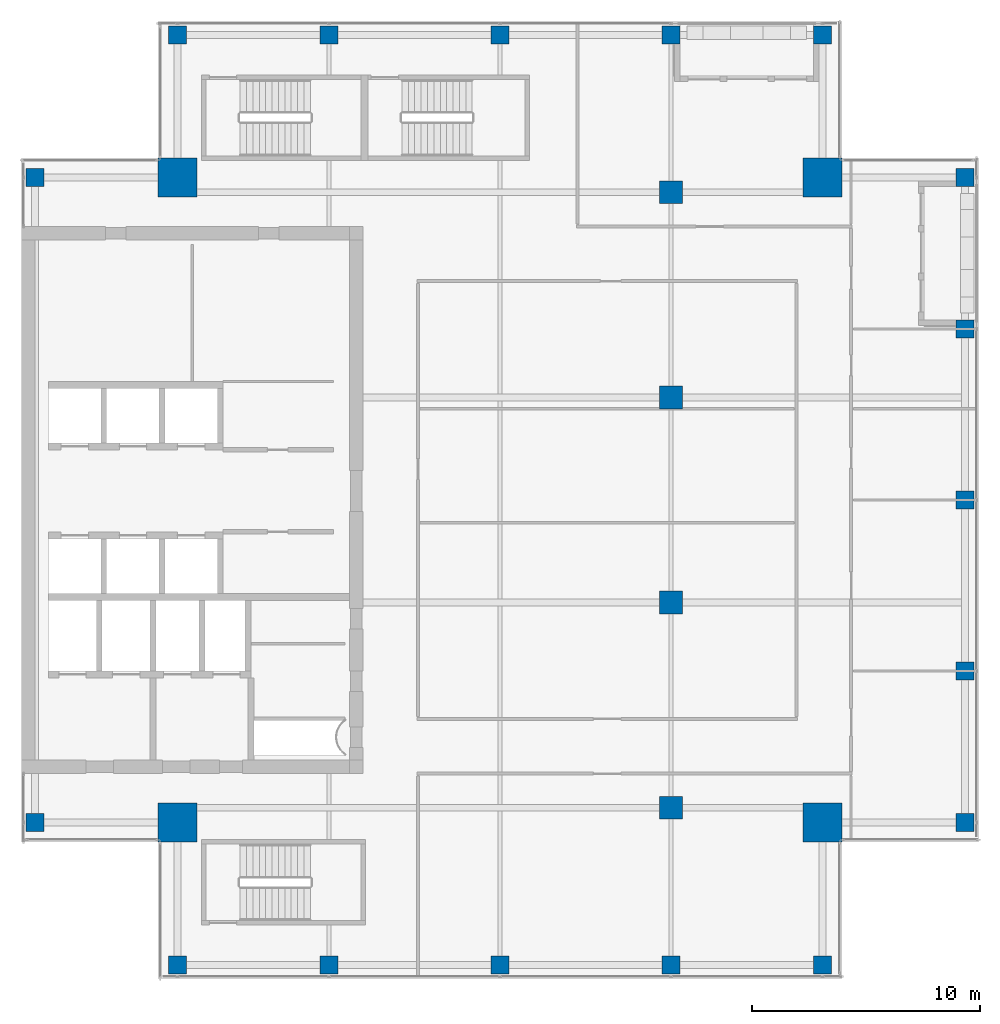
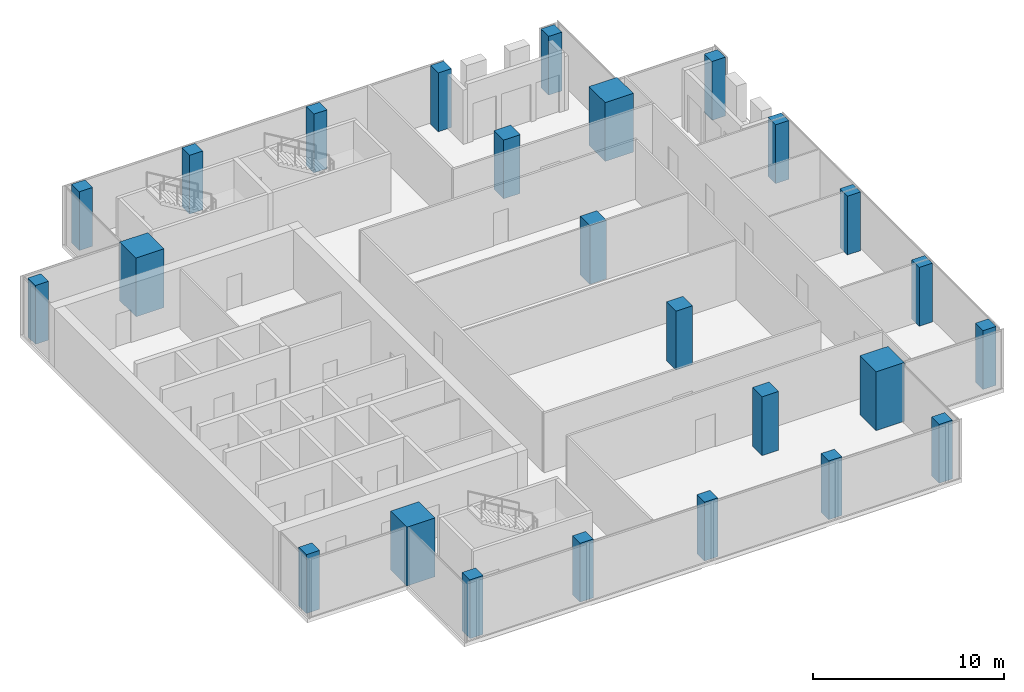
# One storey, part 1 of 29: 25 columns.
"""IFC4 building model written with IfcOpenShell, lengths in metres."""

from ifc_helpers import new_model, si_unit, direction, frame, origin, origin_2d, place, context, subcontext, project, spatial, rectangle, extrude, source, transform, mapped, material, material_profile, profile_set, type_object, element, save


model = new_model("IFC4")

# Units and contexts
model_context = context("Model", 3, precision=1e-05, world=origin(), true_north=direction((0.0, 1.0)))
body_context = subcontext(model_context, "Body", "Model", "MODEL_VIEW")
ifc_project = project(units=[si_unit("LENGTHUNIT", "METRE"), si_unit("AREAUNIT", "SQUARE_METRE"), si_unit("VOLUMEUNIT", "CUBIC_METRE"), si_unit("PLANEANGLEUNIT", "RADIAN"), si_unit("MASSUNIT", "GRAM", prefix="KILO")], contexts=[model_context])

# Site, building, storey
site_placement = place(None, origin())
site = spatial("IfcSite", under=ifc_project, at=site_placement, CompositionType="ELEMENT")
building_placement = place(site_placement, origin())
building = spatial("IfcBuilding", under=site, at=building_placement, Name="Khomas Fold Tower", CompositionType="ELEMENT")
storey_placement = place(building_placement, frame((0.0, 0.0, 314.199951171875)))
storey = spatial("IfcBuildingStorey", under=building, at=storey_placement, Name="L71", CompositionType="ELEMENT", Elevation=314.199951171875)

# Columns
ifc_material_1 = material(Name="Concrete C50/60", Category="concrete")
ifc_material_profile_1 = material_profile(ifc_material_1, rectangle(XDim=1.0, YDim=1.0, at=origin_2d()), Name="RC 1000x1000")
ifc_profile_set_1 = profile_set([ifc_material_profile_1], Name="Concrete C50/60")
column_type_1 = type_object("IfcColumnType", Name="RC 1000x1000 column", PredefinedType="COLUMN", material=ifc_profile_set_1)
shared_shape_1 = source(origin(), body_context, "Body", "SweptSolid", [
    extrude(rectangle(XDim=1.0, YDim=1.0, at=origin_2d()), origin(), (0.0, 0.0, 1.0), 3.75),
])
for number, where, z_axis, x_axis, name in (
    (1, (34.5, 13.5, 0.0), (0.0, 0.0, 1.0), (1.0, 0.0, 0.0), "C-10-H"),
    (2, (34.5, 22.5, 0.0), (0.0, 0.0, 1.0), (1.0, 0.0, 0.0), "C-10-K"),
    (3, (34.5, 31.5, 0.0), (0.0, 0.0, 1.0), (1.0, 0.0, 0.0), "C-10-M"),
    (4, (34.5, 40.5, 0.0), (0.0, 0.0, 1.0), (1.0, 0.0, 0.0), "C-10-P"),
):
    element("IfcColumn", number, at=place(storey_placement, frame(where, z_axis=z_axis, x_axis=x_axis)), inside=storey, type_object=column_type_1, Name=name, PredefinedType="COLUMN", context=body_context, shape_type="MappedRepresentation", body=[
        mapped(shared_shape_1, transform((0.0, 0.0, 0.0))),
    ])
ifc_material_2 = material(Name="Concrete C60/75", Category="concrete")
ifc_material_profile_2 = material_profile(ifc_material_2, rectangle(XDim=1.699951171875, YDim=1.699951171875, at=origin_2d()), Name="RC 1700x1700")
ifc_profile_set_2 = profile_set([ifc_material_profile_2], Name="Concrete C60/75")
column_type_2 = type_object("IfcColumnType", Name="RC 1700x1700 column", PredefinedType="COLUMN", material=ifc_profile_set_2)
shared_shape_2 = source(origin(), body_context, "Body", "SweptSolid", [
    extrude(rectangle(XDim=1.699951171875, YDim=1.699951171875, at=origin_2d()), origin(), (0.0, 0.0, 1.0), 3.75),
])
for number, where, z_axis, x_axis, name in (
    (5, (41.14990234375, 41.14990234375, 0.0), (0.0, 0.0, 1.0), (1.0, 0.0, 0.0), "CM-NE"),
    (6, (12.85009765625, 41.14990234375, 0.0), (0.0, 0.0, 1.0), (1.0, 0.0, 0.0), "CM-NW"),
    (7, (41.14990234375, 12.85009765625, 0.0), (0.0, 0.0, 1.0), (1.0, 0.0, 0.0), "CM-SE"),
    (8, (12.85009765625, 12.85009765625, 0.0), (0.0, 0.0, 1.0), (1.0, 0.0, 0.0), "CM-SW"),
):
    element("IfcColumn", number, at=place(storey_placement, frame(where, z_axis=z_axis, x_axis=x_axis)), inside=storey, type_object=column_type_2, Name=name, PredefinedType="COLUMN", context=body_context, shape_type="MappedRepresentation", body=[
        mapped(shared_shape_2, transform((0.0, 0.0, 0.0))),
    ])
ifc_material_3 = material(Name="Concrete C50/60", Category="concrete")
ifc_material_profile_3 = material_profile(ifc_material_3, rectangle(XDim=0.800048828125, YDim=0.800048828125, at=origin_2d()), Name="RC 800x800")
ifc_profile_set_3 = profile_set([ifc_material_profile_3], Name="Concrete C50/60")
column_type_3 = type_object("IfcColumnType", Name="RC 800x800 column", PredefinedType="COLUMN", material=ifc_profile_set_3)
shared_shape_3 = source(origin(), body_context, "Body", "SweptSolid", [
    extrude(rectangle(XDim=0.800048828125, YDim=0.800048828125, at=origin_2d()), origin(), (0.0, 0.0, 1.0), 3.75),
])
for number, where, z_axis, x_axis, name in (
    (9, (12.85009765625, 6.60009765625, 0.0), (0.0, 0.0, 1.0), (1.0, 0.0, 0.0), "C-7-SF5"),
    (10, (19.5, 6.60009765625, 0.0), (0.0, 0.0, 1.0), (1.0, 0.0, 0.0), "C-8-SF5"),
    (11, (27.0, 6.60009765625, 0.0), (0.0, 0.0, 1.0), (1.0, 0.0, 0.0), "C-9-SF5"),
    (12, (34.5, 6.60009765625, 0.0), (0.0, 0.0, 1.0), (1.0, 0.0, 0.0), "C-10-SF5"),
    (13, (41.14990234375, 6.60009765625, 0.0), (0.0, 0.0, 1.0), (1.0, 0.0, 0.0), "C-12-SF5"),
    (14, (47.39990234375, 12.85009765625, 0.0), (0.0, 0.0, 1.0), (1.0, 0.0, 0.0), "C-E5-G"),
    (15, (47.39990234375, 19.5, 0.0), (0.0, 0.0, 1.0), (1.0, 0.0, 0.0), "C-E5-J"),
    (16, (47.39990234375, 27.0, 0.0), (0.0, 0.0, 1.0), (1.0, 0.0, 0.0), "C-E5-L"),
    (17, (47.39990234375, 34.5, 0.0), (0.0, 0.0, 1.0), (1.0, 0.0, 0.0), "C-E5-N"),
    (18, (47.39990234375, 41.14990234375, 0.0), (0.0, 0.0, 1.0), (1.0, 0.0, 0.0), "C-E5-Q"),
    (19, (12.85009765625, 47.39990234375, 0.0), (0.0, 0.0, 1.0), (1.0, 0.0, 0.0), "C-7-NF5"),
    (20, (19.5, 47.39990234375, 0.0), (0.0, 0.0, 1.0), (1.0, 0.0, 0.0), "C-8-NF5"),
    (21, (27.0, 47.39990234375, 0.0), (0.0, 0.0, 1.0), (1.0, 0.0, 0.0), "C-9-NF5"),
    (22, (34.5, 47.39990234375, 0.0), (0.0, 0.0, 1.0), (1.0, 0.0, 0.0), "C-10-NF5"),
    (23, (41.14990234375, 47.39990234375, 0.0), (0.0, 0.0, 1.0), (1.0, 0.0, 0.0), "C-12-NF5"),
    (24, (6.60009765625, 12.85009765625, 0.0), (0.0, 0.0, 1.0), (1.0, 0.0, 0.0), "C-W5-G"),
    (25, (6.60009765625, 41.14990234375, 0.0), (0.0, 0.0, 1.0), (1.0, 0.0, 0.0), "C-W5-Q"),
):
    element("IfcColumn", number, at=place(storey_placement, frame(where, z_axis=z_axis, x_axis=x_axis)), inside=storey, type_object=column_type_3, Name=name, PredefinedType="COLUMN", context=body_context, shape_type="MappedRepresentation", body=[
        mapped(shared_shape_3, transform((0.0, 0.0, 0.0))),
    ])

save(model, "model.ifc")
